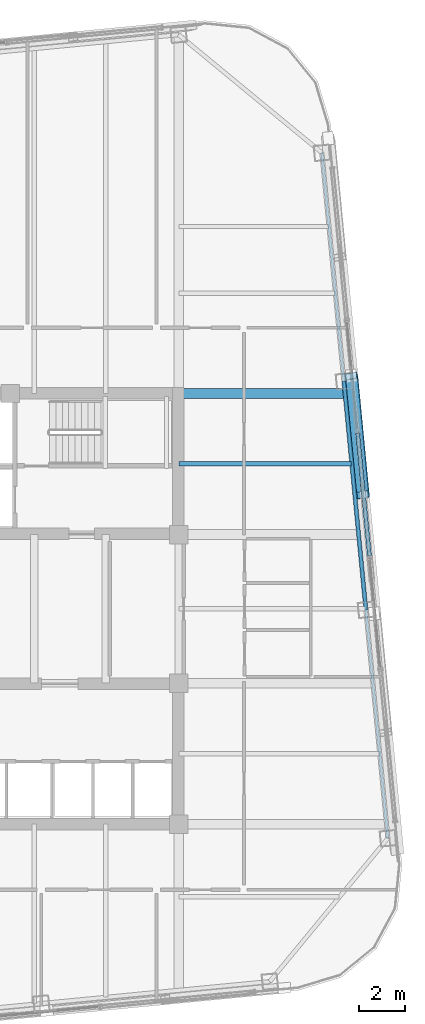
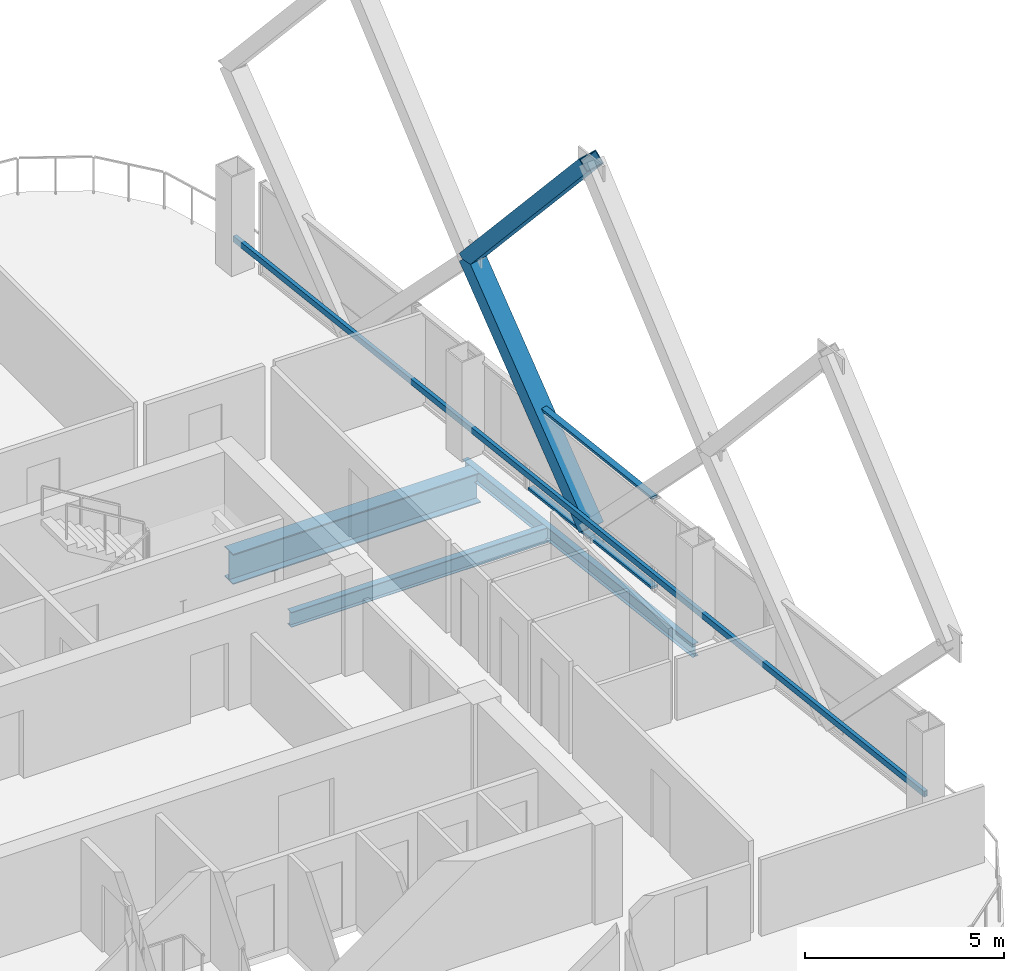
# One storey, part 16 of 34: 5 members, 3 beams, 1 element without a shape of its own.
"""IFC4 building model written with IfcOpenShell, lengths in metres."""

from ifc_helpers import new_model, si_unit, direction, frame, origin, origin_2d, place, context, subcontext, project, spatial, hollow_rectangle, i_section, extrude, material, layer, layer_set, material_profile, profile_set, type_object, element, aggregate, save


model = new_model("IFC4")

# Units and contexts
model_context = context("Model", 3, precision=1e-05, world=origin(), true_north=direction((0.0, 1.0)))
body_context = subcontext(model_context, "Body", "Model", "MODEL_VIEW")
ifc_project = project(units=[si_unit("LENGTHUNIT", "METRE"), si_unit("AREAUNIT", "SQUARE_METRE"), si_unit("VOLUMEUNIT", "CUBIC_METRE"), si_unit("PLANEANGLEUNIT", "RADIAN"), si_unit("MASSUNIT", "GRAM", prefix="KILO")], contexts=[model_context])

# Site, building, storey
site_placement = place(None, origin())
site = spatial("IfcSite", under=ifc_project, at=site_placement, CompositionType="ELEMENT")
building_placement = place(site_placement, origin())
building = spatial("IfcBuilding", under=site, at=building_placement, Name="Qhalaya Broadcast Tower", CompositionType="ELEMENT")
storey_placement = place(building_placement, frame((0.0, 0.0, 168.35009765625)))
storey = spatial("IfcBuildingStorey", under=building, at=storey_placement, Name="L49", CompositionType="ELEMENT", Elevation=168.35009765625)

# Beam
ifc_material_1 = material(Name="Structural Steel ASTM A992 Grade 50", Category="steel")
ifc_material_profile_1 = material_profile(ifc_material_1, i_section(OverallWidth=0.19189453125, OverallDepth=0.462890625, WebThickness=0.010498046875, FlangeThickness=0.017578125, at=origin_2d()), Name="W18X60")
ifc_profile_set_1 = profile_set([ifc_material_profile_1], Name="Structural Steel ASTM A992 Grade 50")
beam_type_1 = type_object("IfcBeamType", Name="Composite Floor Joist J03", PredefinedType="JOIST", material=ifc_profile_set_1)
beam_1_placement = place(storey_placement, frame((9.375, 6.89990234375, -0.45166015625), z_axis=(1.0, 0.0, 0.0), x_axis=(0.0, 1.0, 0.0)))
element("IfcBeam", 1, at=beam_1_placement, inside=storey, type_object=beam_type_1, Name="L49 J03 L49-JWE5E-1", PredefinedType="JOIST", context=body_context, shape_type="SweptSolid", body=[
    extrude(i_section(OverallWidth=0.19189453125, OverallDepth=0.462890625, WebThickness=0.010498046875, FlangeThickness=0.017578125, at=origin_2d()), origin(), (0.0, 0.0, 1.0), 7.48681640625),
])

# Members
ifc_material_2 = material(Name="Structural Steel ASTM A572 Grade 50", Category="steel")
ifc_material_profile_2 = material_profile(ifc_material_2, hollow_rectangle(XDim=0.39990234375, YDim=0.550048828125, WallThickness=0.02490234375, at=origin_2d()), Name="BOX 400x550x25")
ifc_profile_set_2 = profile_set([ifc_material_profile_2], Name="Structural Steel ASTM A572 Grade 50")
member_type_1 = type_object("IfcMemberType", Name="Exoskeleton Diamond Diagonal Mid-High EX3", PredefinedType="BRACE", material=ifc_profile_set_2)
member_1_placement = place(storey_placement, frame((17.353515625, 5.5517578125, 0.35986328125), z_axis=(-0.066502760768, 0.690615647814, 0.72015790616), x_axis=(0.164114880845, -0.704354882738, 0.690616033009)))
element("IfcMember", 2, at=member_1_placement, inside=storey, type_object=member_type_1, Name="B4 Exoskeleton Diamond Brace E2-D2", PredefinedType="BRACE", context=body_context, shape_type="SweptSolid", body=[
    extrude(hollow_rectangle(XDim=0.39990234375, YDim=0.550048828125, WallThickness=0.02490234375, at=origin_2d()), origin(), (0.0, 0.0, 1.0), 7.470703125),
])
member_2_placement = place(storey_placement, frame((16.856689453125, 10.711181640625, 5.739990234375), z_axis=(0.063505717979, -0.659492058015, 0.749024198007), x_axis=(-0.166869020586, 0.73295598109, 0.65949242585)))
element("IfcMember", 3, at=member_2_placement, inside=storey, type_object=member_type_1, Name="B4 Exoskeleton Diamond Brace E2-D4", PredefinedType="BRACE", context=body_context, shape_type="SweptSolid", body=[
    extrude(hollow_rectangle(XDim=0.39990234375, YDim=0.550048828125, WallThickness=0.02490234375, at=origin_2d()), origin(), (0.0, 0.0, 1.0), 7.8232421875),
])
ifc_material_3 = material(Name="Fired Architectural Terracotta", Category="masonry")
ifc_material_profile_3 = material_profile(ifc_material_3, hollow_rectangle(XDim=0.110107421875, YDim=0.179931640625, WallThickness=0.01806640625, at=origin_2d()), Name="TB-BAG 110x180x18")
ifc_profile_set_3 = profile_set([ifc_material_profile_3], Name="Fired Architectural Terracotta")
member_type_2 = type_object("IfcMemberType", Name="Fired Terracotta Facade Baguette Member TB1", PredefinedType="USERDEFINED", material=ifc_profile_set_3)
member_3_placement = place(storey_placement, frame((18.44775390625, -9.362060546875, 0.848876953125), z_axis=(-0.095843252659, 0.995396439073, 0.0), x_axis=(-0.995396439073, -0.095843252659, 0.0)))
element("IfcMember", 4, at=member_3_placement, inside=storey, type_object=member_type_2, Name="L49 Terracotta Baguette Feature Rail E", ObjectType="BAGUETTE", PredefinedType="USERDEFINED", context=body_context, shape_type="SweptSolid", body=[
    extrude(hollow_rectangle(XDim=0.110107421875, YDim=0.179931640625, WallThickness=0.01806640625, at=origin_2d()), origin(), (0.0, 0.0, 1.0), 29.900146484375),
])

# Beam
ifc_material_profile_4 = material_profile(ifc_material_1, i_section(OverallWidth=0.4189453125, OverallDepth=0.927001953125, WebThickness=0.019287109375, FlangeThickness=0.031982421875, at=origin_2d()), Name="W36X231")
ifc_profile_set_4 = profile_set([ifc_material_profile_4], Name="Structural Steel ASTM A992 Grade 50")
beam_type_2 = type_object("IfcBeamType", Name="Mid Block Primary Girder PG3", PredefinedType="USERDEFINED", material=ifc_profile_set_4)
beam_2_placement = place(storey_placement, frame((9.375, 9.949951171875, -0.68359375), z_axis=(1.0, 0.0, 0.0), x_axis=(0.0, 1.0, 0.0)))
element("IfcBeam", 5, at=beam_2_placement, inside=storey, type_object=beam_type_2, Name="L49 PG3 L49-PGYE4-1", ObjectType="GIRDER", PredefinedType="USERDEFINED", context=body_context, shape_type="SweptSolid", body=[
    extrude(i_section(OverallWidth=0.4189453125, OverallDepth=0.927001953125, WebThickness=0.019287109375, FlangeThickness=0.031982421875, at=origin_2d()), origin(), (0.0, 0.0, 1.0), 7.193115234375),
])

# Curtain wall, members
ifc_layer = layer(ifc_material_3, 0.219970703125, Name="Fired Architectural Terracotta")
ifc_layer_set = layer_set([ifc_layer], Name="Fired Architectural Terracotta")
curtain_wall_type = type_object("IfcCurtainWallType", Name="Block-Cap Unitised Terracotta Spandrel Wall CW-07", PredefinedType="NOTDEFINED", material=ifc_layer_set)
curtain_wall_placement = place(storey_placement, origin())
curtain_wall = element("IfcCurtainWall", 6, at=curtain_wall_placement, inside=storey, type_object=curtain_wall_type, Name="L49 Unitised Curtain Wall L49-CW-E3", PredefinedType="NOTDEFINED")
ifc_material_4 = material(Name="Anodised Aluminium 6063-T6", Category="aluminium")
ifc_material_profile_5 = material_profile(ifc_material_4, hollow_rectangle(XDim=0.074951171875, YDim=0.179931640625, WallThickness=0.00390625, at=origin_2d()), Name="ALU-TRN 75x180x4")
ifc_profile_set_5 = profile_set([ifc_material_profile_5], Name="Anodised Aluminium 6063-T6")
member_type_3 = type_object("IfcMemberType", Name="Unitised Curtain-Wall Transom T01", PredefinedType="USERDEFINED", material=ifc_profile_set_5)
member_4_placement = place(storey_placement, frame((17.64990234375, 2.889892578125, 0.037353515625), z_axis=(-0.095856580839, 0.995395155659, 0.0), x_axis=(0.0, 0.0, 1.0)))
member_4 = element("IfcMember", 7, at=member_4_placement, type_object=member_type_3, Name="CW-07 transom 1.1", ObjectType="TRANSOM", PredefinedType="USERDEFINED", context=body_context, shape_type="SweptSolid", body=[
    extrude(hollow_rectangle(XDim=0.074951171875, YDim=0.179931640625, WallThickness=0.00390625, at=origin_2d()), origin(), (0.0, 0.0, 1.0), 5.356201171875),
])
member_5_placement = place(storey_placement, frame((17.64990234375, 2.889892578125, 2.79248046875), z_axis=(-0.095856580839, 0.995395155659, 0.0), x_axis=(0.0, 0.0, 1.0)))
member_5 = element("IfcMember", 8, at=member_5_placement, type_object=member_type_3, Name="CW-07 transom 1.2", ObjectType="TRANSOM", PredefinedType="USERDEFINED", context=body_context, shape_type="SweptSolid", body=[
    extrude(hollow_rectangle(XDim=0.074951171875, YDim=0.179931640625, WallThickness=0.00390625, at=origin_2d()), origin(), (0.0, 0.0, 1.0), 5.356201171875),
])
aggregate(curtain_wall, [member_4, member_5])

# Beam
ifc_material_profile_6 = material_profile(ifc_material_1, i_section(OverallWidth=0.177978515625, OverallDepth=0.406005859375, WebThickness=0.0078125, FlangeThickness=0.0126953125, at=origin_2d()), Name="W16X40")
ifc_profile_set_6 = profile_set([ifc_material_profile_6], Name="Structural Steel ASTM A992 Grade 50")
beam_type_3 = type_object("IfcBeamType", Name="Upper Perimeter Spandrel Beam SP2", PredefinedType="SPANDREL", material=ifc_profile_set_6)
beam_3_placement = place(storey_placement, frame((17.49267578125, 0.558837890625, -0.423095703125), z_axis=(-0.095852900965, 0.995395510024, 0.0), x_axis=(-0.995395510024, -0.095852900965, 0.0)))
element("IfcBeam", 9, at=beam_3_placement, inside=storey, type_object=beam_type_3, Name="L49 SP2 L49-SPR-06", PredefinedType="SPANDREL", context=body_context, shape_type="SweptSolid", body=[
    extrude(i_section(OverallWidth=0.177978515625, OverallDepth=0.406005859375, WebThickness=0.0078125, FlangeThickness=0.0126953125, at=origin_2d()), origin(), (0.0, 0.0, 1.0), 9.966552734375),
])

save(model, "model.ifc")
